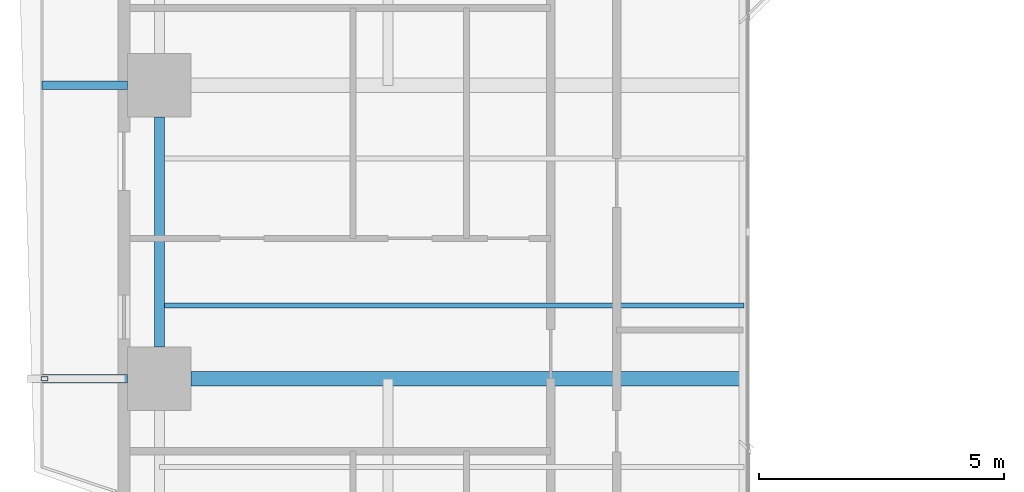
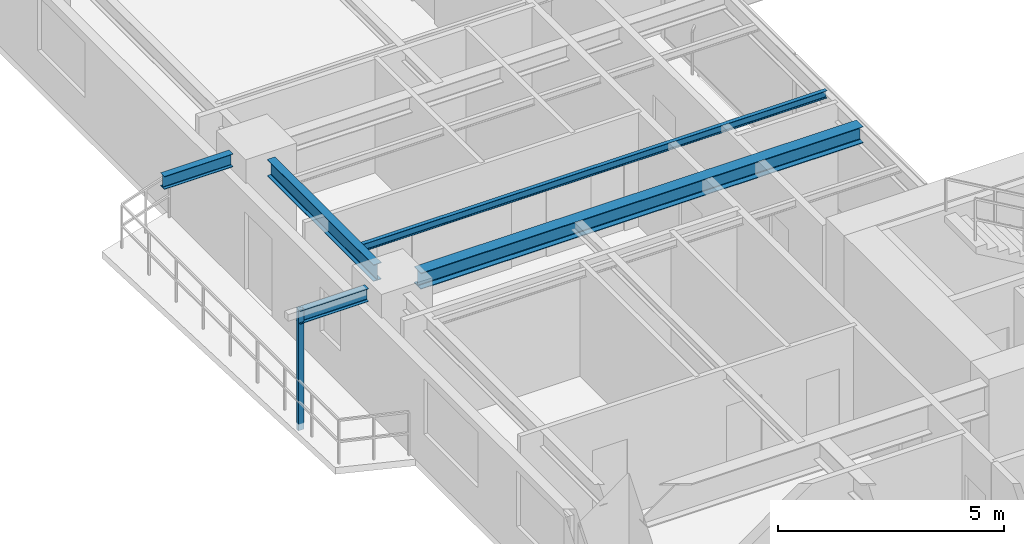
# One storey, part 3 of 23: 5 beams, 1 member.
"""IFC4 building model written with IfcOpenShell, lengths in metres."""

from ifc_helpers import new_model, si_unit, direction, frame, origin, origin_2d, place, context, subcontext, project, spatial, hollow_rectangle, i_section, extrude, source, transform, mapped, material, material_profile, profile_set, type_object, element, save


model = new_model("IFC4")

# Units and contexts
model_context = context("Model", 3, precision=1e-05, world=origin(), true_north=direction((0.0, 1.0)))
body_context = subcontext(model_context, "Body", "Model", "MODEL_VIEW")
ifc_project = project(units=[si_unit("LENGTHUNIT", "METRE"), si_unit("AREAUNIT", "SQUARE_METRE"), si_unit("VOLUMEUNIT", "CUBIC_METRE"), si_unit("PLANEANGLEUNIT", "RADIAN"), si_unit("MASSUNIT", "GRAM", prefix="KILO"), si_unit("THERMODYNAMICTEMPERATUREUNIT", "KELVIN"), si_unit("POWERUNIT", "WATT")], contexts=[model_context])

# Site, building, storey
site_placement = place(None, origin())
site = spatial("IfcSite", under=ifc_project, at=site_placement, CompositionType="ELEMENT")
building_placement = place(site_placement, origin())
building = spatial("IfcBuilding", under=site, at=building_placement, Name="Qiaomeng Ring Towers", CompositionType="ELEMENT")
storey_placement = place(building_placement, frame((0.0, 0.0, 32.75)))
storey = spatial("IfcBuildingStorey", under=building, at=storey_placement, Name="L08", CompositionType="ELEMENT", Elevation=32.75)

# Beams
ifc_material_1 = material(Name="Steel Q355B", Category="steel")
ifc_material_profile_1 = material_profile(ifc_material_1, i_section(OverallWidth=0.199951171875, OverallDepth=0.449951171875, WebThickness=0.009033203125, FlangeThickness=0.013916015625, FilletRadius=0.01806640625, at=origin_2d()), Name="HN 450x200x9x14")
ifc_profile_set_1 = profile_set([ifc_material_profile_1], Name="Steel Q355B")
beam_type_1 = type_object("IfcBeamType", Name="STR-BM-HN450", PredefinedType="SPANDREL", material=ifc_profile_set_1)
shared_shape_1 = source(origin(), body_context, "Body", "SweptSolid", [
    extrude(i_section(OverallWidth=0.199951171875, OverallDepth=0.449951171875, WebThickness=0.009033203125, FlangeThickness=0.013916015625, FilletRadius=0.01806640625, at=origin_2d()), origin(), (0.0, 0.0, 1.0), 4.7021484375),
])
beam_1_placement = place(storey_placement, frame((0.85009765625, 25.35107421875, 2.844970703125), z_axis=(0.0, -1.0, 0.0), x_axis=(1.0, 0.0, 0.0)))
element("IfcBeam", 1, at=beam_1_placement, inside=storey, type_object=beam_type_1, Name="L08 beam STR-SP-L08-T1-W3-W2", PredefinedType="SPANDREL", context=body_context, shape_type="MappedRepresentation", body=[
    mapped(shared_shape_1, transform((0.0, 0.0, 0.0), x_axis=(1.0, 0.0, 0.0), y_axis=(0.0, 1.0, 0.0), z_axis=(0.0, 0.0, 1.0), scale=1.0)),
])
ifc_material_profile_2 = material_profile(ifc_material_1, i_section(OverallWidth=0.300048828125, OverallDepth=0.43994140625, WebThickness=0.010986328125, FlangeThickness=0.01806640625, FilletRadius=0.02392578125, at=origin_2d()), Name="HM 440x300x11x18")
ifc_profile_set_2 = profile_set([ifc_material_profile_2], Name="Steel Q355B")
beam_type_2 = type_object("IfcBeamType", Name="STR-BM-HM440", PredefinedType="BEAM", material=ifc_profile_set_2)
shared_shape_2 = source(origin(), body_context, "Body", "SweptSolid", [
    extrude(i_section(OverallWidth=0.300048828125, OverallDepth=0.43994140625, WebThickness=0.010986328125, FlangeThickness=0.01806640625, FilletRadius=0.02392578125, at=origin_2d()), origin(), (0.0, 0.0, 1.0), 11.301025390625),
])
beam_2_placement = place(storey_placement, frame((1.4990234375, 20.0, 2.85009765625), z_axis=(1.0, 0.0, 0.0), x_axis=(0.0, 1.0, 0.0)))
element("IfcBeam", 2, at=beam_2_placement, inside=storey, type_object=beam_type_2, Name="L08 beam STR-BM-L08-T1-RAD-W2", PredefinedType="BEAM", context=body_context, shape_type="MappedRepresentation", body=[
    mapped(shared_shape_2, transform((0.0, 0.0, 0.0), x_axis=(1.0, 0.0, 0.0), y_axis=(0.0, 1.0, 0.0), z_axis=(0.0, 0.0, 1.0), scale=1.0)),
])
ifc_material_profile_3 = material_profile(ifc_material_1, i_section(OverallWidth=0.175048828125, OverallDepth=0.35009765625, WebThickness=0.007080078125, FlangeThickness=0.010986328125, FilletRadius=0.013916015625, at=origin_2d()), Name="HN 350x175x7x11")
ifc_profile_set_3 = profile_set([ifc_material_profile_3], Name="Steel Q355B")
beam_type_3 = type_object("IfcBeamType", Name="STR-BM-HN350", PredefinedType="JOIST", material=ifc_profile_set_3)
shared_shape_3 = source(origin(), body_context, "Body", "SweptSolid", [
    extrude(i_section(OverallWidth=0.175048828125, OverallDepth=0.35009765625, WebThickness=0.007080078125, FlangeThickness=0.010986328125, FilletRadius=0.013916015625, at=origin_2d()), origin(), (0.0, 0.0, 1.0), 1.7509765625),
])
for number, where, z_axis, x_axis, name in (
    (3, (-1.550048828125, 20.0, 2.89501953125), (1.0, 0.0, 0.0), (0.0, 1.0, 0.0), "L08 beam STR-BALBM-L08-W2"),
    (4, (-1.550048828125, 26.0, 2.89501953125), (1.0, 0.0, 0.0), (0.0, 1.0, 0.0), "L08 beam STR-BALBM-L08-W3"),
):
    element("IfcBeam", number, at=place(storey_placement, frame(where, z_axis=z_axis, x_axis=x_axis)), inside=storey, type_object=beam_type_3, Name=name, PredefinedType="JOIST", context=body_context, shape_type="MappedRepresentation", body=[
        mapped(shared_shape_3, transform((0.0, 0.0, 0.0), x_axis=(1.0, 0.0, 0.0), y_axis=(0.0, 1.0, 0.0), z_axis=(0.0, 0.0, 1.0), scale=1.0)),
    ])
ifc_material_profile_4 = material_profile(ifc_material_1, i_section(OverallWidth=0.10009765625, OverallDepth=0.199951171875, WebThickness=0.005615234375, FlangeThickness=0.008056640625, FilletRadius=0.010986328125, at=origin_2d()), Name="HN 200x100x5.5x8")
ifc_profile_set_4 = profile_set([ifc_material_profile_4], Name="Steel Q355B")
beam_type_4 = type_object("IfcBeamType", Name="STR-BM-HN200", PredefinedType="JOIST", material=ifc_profile_set_4)
shared_shape_4 = source(origin(), body_context, "Body", "SweptSolid", [
    extrude(i_section(OverallWidth=0.10009765625, OverallDepth=0.199951171875, WebThickness=0.005615234375, FlangeThickness=0.008056640625, FilletRadius=0.010986328125, at=origin_2d()), origin(), (0.0, 0.0, 1.0), 11.949951171875),
])
beam_3_placement = place(storey_placement, frame((0.85009765625, 21.5, 2.969970703125), z_axis=(1.0, 0.0, 0.0), x_axis=(0.0, 1.0, 0.0)))
element("IfcBeam", 5, at=beam_3_placement, inside=storey, type_object=beam_type_4, Name="L08 beam STR-JST-L08-T1W-2", PredefinedType="JOIST", context=body_context, shape_type="MappedRepresentation", body=[
    mapped(shared_shape_4, transform((0.0, 0.0, 0.0), x_axis=(1.0, 0.0, 0.0), y_axis=(0.0, 1.0, 0.0), z_axis=(0.0, 0.0, 1.0), scale=1.0)),
])

# Member
ifc_material_2 = material(Name="Stainless steel 316", Category="steel")
ifc_material_profile_5 = material_profile(ifc_material_2, hollow_rectangle(XDim=0.090087890625, YDim=0.139892578125, WallThickness=0.0048828125, at=origin_2d()), Name="SS TRELLIS 90x140")
ifc_profile_set_5 = profile_set([ifc_material_profile_5], Name="Stainless steel 316")
member_type = type_object("IfcMemberType", Name="ARC-TR-POST1", PredefinedType="STUD", material=ifc_profile_set_5)
shared_shape_5 = source(origin(), body_context, "Body", "SweptSolid", [
    extrude(hollow_rectangle(XDim=0.090087890625, YDim=0.139892578125, WallThickness=0.0048828125, at=origin_2d()), origin(), (0.0, 0.0, 1.0), 3.25),
])
member_placement = place(storey_placement, frame((-1.5, 20.0, -0.179931640625), z_axis=(0.0, 0.0, 1.0), x_axis=(0.0, 1.0, 0.0)))
element("IfcMember", 6, at=member_placement, inside=storey, type_object=member_type, Name="L08 Outer Ventilated Trellis Post W", PredefinedType="STUD", context=body_context, shape_type="MappedRepresentation", body=[
    mapped(shared_shape_5, transform((0.0, 0.0, 0.0), x_axis=(1.0, 0.0, 0.0), y_axis=(0.0, 1.0, 0.0), z_axis=(0.0, 0.0, 1.0), scale=1.0)),
])

save(model, "model.ifc")
